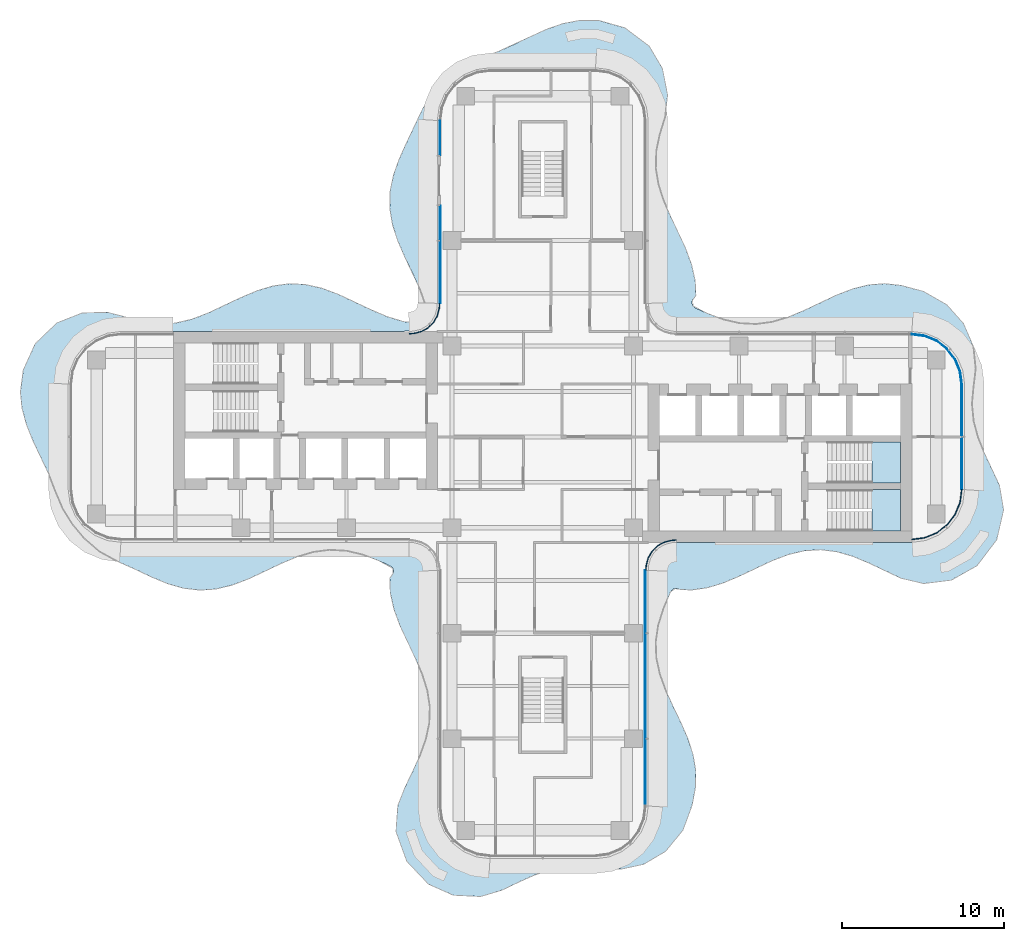
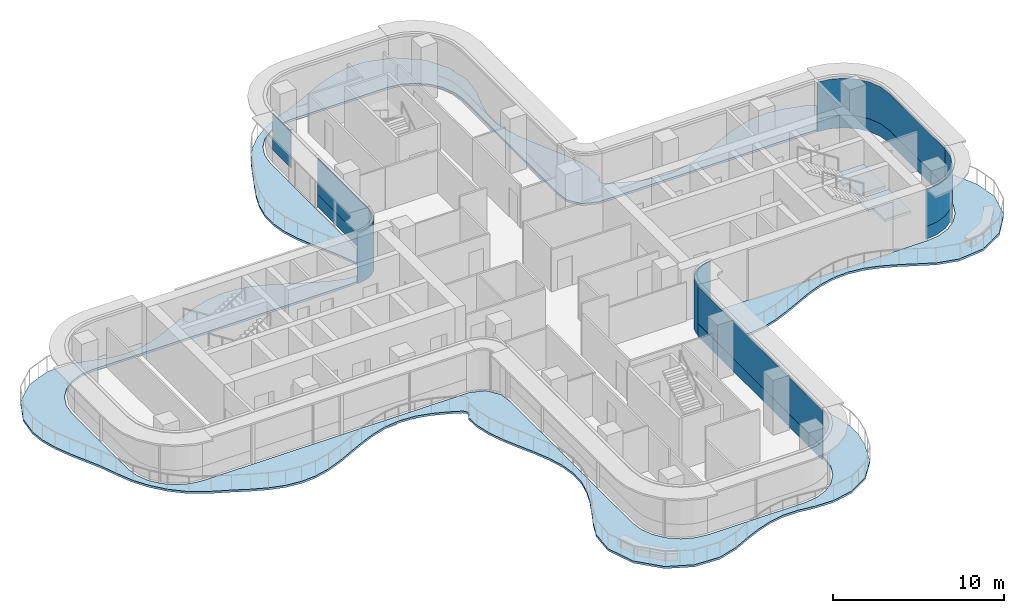
# One storey, part 10 of 17: 11 plates, 3 slabs, 9 elements without a shape of their own.
"""IFC4 building model written with IfcOpenShell, lengths in metres."""

from ifc_helpers import new_model, si_unit, direction, frame, origin, place, context, subcontext, project, spatial, polyline, outline, extrude, source, transform, mapped, material, layer, layer_set, type_object, element, aggregate, save


model = new_model("IFC4")

# Units and contexts
model_context = context("Model", 3, precision=1e-05, world=origin(), true_north=direction((0.0, 1.0)))
body_context = subcontext(model_context, "Body", "Model", "MODEL_VIEW")
ifc_project = project(units=[si_unit("LENGTHUNIT", "METRE"), si_unit("AREAUNIT", "SQUARE_METRE"), si_unit("VOLUMEUNIT", "CUBIC_METRE"), si_unit("PLANEANGLEUNIT", "RADIAN"), si_unit("MASSUNIT", "GRAM", prefix="KILO")], contexts=[model_context])

# Site, building, storey
site_placement = place(None, origin())
site = spatial("IfcSite", under=ifc_project, at=site_placement, CompositionType="ELEMENT")
building_placement = place(site_placement, origin())
building = spatial("IfcBuilding", under=site, at=building_placement, Name="Trellis Farm Tower", CompositionType="ELEMENT")
storey_placement = place(building_placement, frame((0.0, 0.0, 232.39990234375)))
storey = spatial("IfcBuildingStorey", under=building, at=storey_placement, Name="L51", CompositionType="ELEMENT", Elevation=232.39990234375)

# Slab
ifc_material_1 = material(Name="Concrete C40/50", Category="concrete")
ifc_layer_1 = layer(ifc_material_1, 0.14990234375)
ifc_layer_set_1 = layer_set([ifc_layer_1], Name="Balcony slab 150")
slab_type_1 = type_object("IfcSlabType", Name="Balcony slab 150", PredefinedType="FLOOR", material=ifc_layer_set_1)
slab_1_placement = place(storey_placement, frame((0.0, 0.0, -0.14990234375)))
element("IfcSlab", 1, at=slab_1_placement, inside=storey, type_object=slab_type_1, Name="Balcony slab", PredefinedType="FLOOR", context=body_context, shape_type="SweptSolid", body=[
    extrude(outline(polyline([(-9.369384765625, -8.57861328125), (-9.369140625, -8.57861328125), (-9.252685546875, -8.468017578125), (-9.232177734375, -8.43310546875), (-9.1943359375, -8.28759765625), (-9.1953125, -8.247314453125), (-9.239990234375, -8.10400390625), (-9.261962890625, -8.070068359375), (-9.3837890625, -7.965087890625), (-9.401123046875, -7.953857421875), (-10.09521484375, -7.6318359375), (-10.10009765625, -7.629638671875), (-11.08251953125, -7.25732421875), (-11.091552734375, -7.25439453125), (-12.0712890625, -7.020263671875), (-12.08447265625, -7.018310546875), (-13.131591796875, -6.957763671875), (-13.145751953125, -6.95849609375), (-14.126708984375, -7.087890625), (-14.13818359375, -7.09033203125), (-15.118408203125, -7.38134765625), (-15.1259765625, -7.384033203125), (-16.110107421875, -7.7958984375), (-16.11328125, -7.797119140625), (-18.091796875, -8.733642578125), (-18.101806640625, -8.73779296875), (-19.102783203125, -9.125), (-19.12109375, -9.130615234375), (-20.102783203125, -9.373046875), (-20.1279296875, -9.376953125), (-21.1015625, -9.4462890625), (-21.12939453125, -9.445556640625), (-22.10009765625, -9.334228515625), (-22.123779296875, -9.32958984375), (-23.0986328125, -9.05322265625), (-23.11474609375, -9.0478515625), (-24.097412109375, -8.64501953125), (-24.104736328125, -8.6416015625), (-25.099365234375, -8.168212890625), (-25.10107421875, -8.167236328125), (-26.1845703125, -7.687255859375), (-26.196044921875, -7.681396484375), (-27.3271484375, -7.059814453125), (-27.353271484375, -7.041748046875), (-28.267578125, -6.24853515625), (-28.28466796875, -6.231201171875), (-28.988037109375, -5.3857421875), (-29.0, -5.369140625), (-29.5859375, -4.42822265625), (-29.5966796875, -4.407470703125), (-30.062255859375, -3.308349609375), (-30.064208984375, -3.3037109375), (-30.4716796875, -2.241455078125), (-30.473876953125, -2.236083984375), (-31.414306640625, -0.251953125), (-31.417724609375, -0.243896484375), (-31.81884765625, 0.748046875), (-31.824462890625, 0.764892578125), (-32.093017578125, 1.747802734375), (-32.09765625, 1.7724609375), (-32.1953125, 2.747314453125), (-32.19482421875, 2.78173828125), (-32.020751953125, 4.11572265625), (-32.00830078125, 4.158935546875), (-31.2822265625, 5.7421875), (-31.267578125, 5.766845703125), (-31.24609375, 5.797119140625), (-31.227294921875, 5.81884765625), (-29.971923828125, 7.005126953125), (-29.948974609375, 7.02294921875), (-29.9169921875, 7.043212890625), (-29.89111328125, 7.05615234375), (-28.3857421875, 7.63818359375), (-28.360595703125, 7.6455078125), (-28.326904296875, 7.65185546875), (-28.300537109375, 7.65478515625), (-26.8349609375, 7.679443359375), (-26.794189453125, 7.674560546875), (-25.60400390625, 7.36083984375), (-25.601318359375, 7.360107421875), (-24.57958984375, 7.0703125), (-24.568115234375, 7.06787109375), (-23.641845703125, 6.956787109375), (-23.62841796875, 6.956298828125), (-22.640380859375, 7.015869140625), (-22.627685546875, 7.017822265625), (-21.631103515625, 7.25439453125), (-21.621826171875, 7.257080078125), (-20.619873046875, 7.637939453125), (-20.614501953125, 7.64013671875), (-18.614013671875, 8.5849609375), (-18.608154296875, 8.587646484375), (-17.606689453125, 9.009033203125), (-17.591552734375, 9.014404296875), (-16.633544921875, 9.302734375), (-16.610595703125, 9.3076171875), (-15.639892578125, 9.44091796875), (-15.6123046875, 9.442138671875), (-14.639404296875, 9.395751953125), (-14.61328125, 9.39208984375), (-13.6328125, 9.17041015625), (-13.613525390625, 9.16455078125), (-12.612548828125, 8.7919921875), (-12.600830078125, 8.787109375), (-10.62255859375, 7.854248046875), (-10.6201171875, 7.853271484375), (-9.60205078125, 7.41796875), (-9.59423828125, 7.415283203125), (-8.58544921875, 7.108154296875), (-8.570068359375, 7.105224609375), (-7.93115234375, 7.050537109375), (-7.90380859375, 7.053466796875), (-7.685791015625, 7.117919921875), (-7.661376953125, 7.130615234375), (-7.365478515625, 7.360595703125), (-7.353515625, 7.372314453125), (-7.271240234375, 7.47265625), (-7.256591796875, 7.501953125), (-7.225830078125, 7.6279296875), (-7.2236328125, 7.644287109375), (-7.2158203125, 8.096435546875), (-7.216796875, 8.11083984375), (-7.237548828125, 8.22802734375), (-7.241455078125, 8.24169921875), (-7.57568359375, 9.112060546875), (-7.57763671875, 9.1162109375), (-8.02978515625, 10.10595703125), (-8.030517578125, 10.107421875), (-8.510498046875, 11.102783203125), (-8.512939453125, 11.108154296875), (-8.94580078125, 12.10302734375), (-8.950927734375, 12.11669921875), (-9.262939453125, 13.077392578125), (-9.268310546875, 13.09912109375), (-9.430419921875, 14.0703125), (-9.432373046875, 14.097900390625), (-9.412841796875, 15.1005859375), (-9.409912109375, 15.127685546875), (-9.212890625, 16.099365234375), (-9.207275390625, 16.119384765625), (-8.861572265625, 17.097900390625), (-8.85693359375, 17.109619140625), (-8.4130859375, 18.093017578125), (-8.411865234375, 18.095458984375), (-7.3955078125, 20.239013671875), (-7.38525390625, 20.257080078125), (-6.700439453125, 21.301025390625), (-6.680908203125, 21.324951171875), (-5.857177734375, 22.147216796875), (-5.8369140625, 22.1640625), (-4.9130859375, 22.807373046875), (-4.893798828125, 22.81884765625), (-3.84521484375, 23.334716796875), (-3.83251953125, 23.340087890625), (-2.743408203125, 23.756591796875), (-2.73974609375, 23.75830078125), (-1.75732421875, 24.196044921875), (-1.755126953125, 24.197021484375), (-0.751953125, 24.681396484375), (-0.748046875, 24.683349609375), (0.248046875, 25.12939453125), (0.260498046875, 25.134521484375), (1.248046875, 25.475341796875), (1.268798828125, 25.48095703125), (2.24755859375, 25.667724609375), (2.275634765625, 25.67041015625), (3.435302734375, 25.669189453125), (3.476318359375, 25.663330078125), (5.061767578125, 25.2119140625), (5.087890625, 25.20166015625), (5.120849609375, 25.185302734375), (5.144775390625, 25.170166015625), (6.5458984375, 24.094970703125), (6.5673828125, 24.074951171875), (6.592529296875, 24.04638671875), (6.609619140625, 24.0224609375), (7.372314453125, 22.70263671875), (7.389404296875, 22.656494140625), (7.691162109375, 21.117431640625), (7.69287109375, 21.07177734375), (7.541015625, 19.722412109375), (7.53515625, 19.695068359375), (7.203125, 18.62109375), (7.201416015625, 18.614501953125), (6.996826171875, 17.6396484375), (6.995361328125, 17.626220703125), (6.967041015625, 16.57861328125), (6.968017578125, 16.564697265625), (7.12646484375, 15.584228515625), (7.12890625, 15.573486328125), (7.431396484375, 14.625244140625), (7.433837890625, 14.618408203125), (7.872314453125, 13.60107421875), (7.873779296875, 13.59814453125), (8.35009765625, 12.609619140625), (8.351318359375, 12.607177734375), (8.804931640625, 11.619384765625), (8.8095703125, 11.6083984375), (9.17724609375, 10.606689453125), (9.182861328125, 10.58740234375), (9.39404296875, 9.63720703125), (9.3974609375, 9.611572265625), (9.4384765625, 8.71240234375), (9.3759765625, 8.58349609375), (9.369140625, 8.57861328125), (9.252685546875, 8.468017578125), (9.232177734375, 8.43310546875), (9.1943359375, 8.28759765625), (9.1953125, 8.247314453125), (9.239990234375, 8.10400390625), (9.261962890625, 8.070068359375), (9.3837890625, 7.965087890625), (9.401123046875, 7.953857421875), (10.118408203125, 7.6220703125), (10.12353515625, 7.619873046875), (11.125732421875, 7.243896484375), (11.13525390625, 7.2412109375), (12.13134765625, 7.011474609375), (12.144287109375, 7.009765625), (13.1318359375, 6.957763671875), (13.1455078125, 6.958251953125), (14.126708984375, 7.087890625), (14.13818359375, 7.09033203125), (15.118408203125, 7.38134765625), (15.1259765625, 7.384033203125), (16.110107421875, 7.7958984375), (16.11328125, 7.797119140625), (18.091796875, 8.733642578125), (18.101806640625, 8.73779296875), (19.10302734375, 9.125), (19.120849609375, 9.130615234375), (20.073486328125, 9.368408203125), (20.098388671875, 9.372314453125), (21.069091796875, 9.44677734375), (21.096923828125, 9.4462890625), (22.07470703125, 9.33935546875), (22.0966796875, 9.335205078125), (23.4287109375, 8.981689453125), (23.464111328125, 8.96728515625), (24.870361328125, 8.1708984375), (24.90869140625, 8.139892578125), (25.92822265625, 6.988037109375), (25.95361328125, 6.94775390625), (26.5400390625, 5.581298828125), (26.551513671875, 5.53662109375), (26.682373046875, 4.1982421875), (26.681884765625, 4.165283203125), (26.5390625, 2.997802734375), (26.538818359375, 2.995361328125), (26.45361328125, 2.03759765625), (26.45361328125, 2.023681640625), (26.55419921875, 0.977294921875), (26.556396484375, 0.96484375), (26.82275390625, -0.01513671875), (26.825439453125, -0.023193359375), (27.212158203125, -0.9873046875), (27.2138671875, -0.9912109375), (28.145263671875, -2.979248046875), (28.157470703125, -3.018310546875), (28.403564453125, -4.493896484375), (28.405517578125, -4.5244140625), (28.404052734375, -4.5625), (28.400146484375, -4.591796875), (27.97998046875, -6.33740234375), (27.969482421875, -6.366943359375), (27.9521484375, -6.4033203125), (27.935791015625, -6.43017578125), (26.816650390625, -7.888916015625), (26.7958984375, -7.910888671875), (26.766357421875, -7.9365234375), (26.741455078125, -7.9541015625), (25.1923828125, -8.82373046875), (25.165283203125, -8.835693359375), (25.128662109375, -8.84765625), (25.099609375, -8.85400390625), (23.4794921875, -9.039306640625), (23.452880859375, -9.0400390625), (23.4189453125, -9.037841796875), (23.392578125, -9.033935546875), (22.097412109375, -8.71630859375), (22.06884765625, -8.7060546875), (20.1103515625, -7.7783203125), (20.10693359375, -7.77685546875), (19.123046875, -7.369140625), (19.115234375, -7.366455078125), (18.135009765625, -7.081298828125), (18.123291015625, -7.0791015625), (17.14208984375, -6.956787109375), (17.12841796875, -6.956298828125), (16.140380859375, -7.015869140625), (16.127685546875, -7.017822265625), (15.131103515625, -7.25439453125), (15.121826171875, -7.257080078125), (14.119873046875, -7.637939453125), (14.114501953125, -7.64013671875), (12.114013671875, -8.5849609375), (12.108154296875, -8.587646484375), (11.106689453125, -9.009033203125), (11.091552734375, -9.014404296875), (10.133544921875, -9.302734375), (10.110595703125, -9.3076171875), (9.143310546875, -9.4404296875), (9.11279296875, -9.44140625), (8.433349609375, -9.39453125), (8.398193359375, -9.3876953125), (8.314208984375, -9.361083984375), (8.296630859375, -9.357666015625), (8.15869140625, -9.347900390625), (8.124267578125, -9.353759765625), (8.00537109375, -9.405029296875), (7.977294921875, -9.426025390625), (7.890625, -9.531982421875), (7.8798828125, -9.549560546875), (7.430419921875, -10.58837890625), (7.427490234375, -10.59619140625), (7.10693359375, -11.62890625), (7.104248046875, -11.640380859375), (6.961181640625, -12.63232421875), (6.960693359375, -12.64599609375), (7.00048828125, -13.6298828125), (7.002197265625, -13.642578125), (7.21630859375, -14.622802734375), (7.21923828125, -14.63232421875), (7.56640625, -15.588134765625), (7.568603515625, -15.59375), (8.026611328125, -16.599365234375), (8.02734375, -16.6005859375), (8.510498046875, -17.60302734375), (8.512939453125, -17.608154296875), (8.93994140625, -18.587158203125), (8.945068359375, -18.6005859375), (9.262939453125, -19.577392578125), (9.268310546875, -19.59912109375), (9.430419921875, -20.570556640625), (9.432373046875, -20.59765625), (9.416259765625, -21.572021484375), (9.413818359375, -21.596923828125), (9.2109375, -22.6865234375), (9.20458984375, -22.71044921875), (8.66162109375, -24.199462890625), (8.63671875, -24.2431640625), (7.59130859375, -25.52099609375), (7.572509765625, -25.5400390625), (7.546142578125, -25.562744140625), (7.5244140625, -25.578125), (6.224853515625, -26.338134765625), (6.1806640625, -26.355224609375), (4.8330078125, -26.644287109375), (4.797607421875, -26.647705078125), (3.589111328125, -26.614501953125), (3.573974609375, -26.61328125), (2.47900390625, -26.472412109375), (2.46875, -26.4716796875), (1.47412109375, -26.481201171875), (1.461181640625, -26.482421875), (0.52978515625, -26.656494140625), (0.519287109375, -26.6591796875), (-0.5107421875, -27.0087890625), (-0.51708984375, -27.01123046875), (-1.49267578125, -27.446044921875), (-1.49462890625, -27.447021484375), (-2.499755859375, -27.930419921875), (-2.521240234375, -27.938720703125), (-3.783935546875, -28.32177734375), (-3.833984375, -28.328125), (-5.45458984375, -28.258056640625), (-5.482666015625, -28.254150390625), (-5.518310546875, -28.245849609375), (-5.544921875, -28.23681640625), (-7.041748046875, -27.568115234375), (-7.06787109375, -27.55322265625), (-7.099365234375, -27.530517578125), (-7.1220703125, -27.510498046875), (-8.376708984375, -26.16015625), (-8.39501953125, -26.1357421875), (-8.415283203125, -26.101806640625), (-8.428466796875, -26.07421875), (-9.0380859375, -24.352294921875), (-9.04541015625, -24.32177734375), (-9.05078125, -24.28173828125), (-9.051513671875, -24.25048828125), (-8.932373046875, -22.72607421875), (-8.922119140625, -22.68212890625), (-8.494873046875, -21.60888671875), (-8.490478515625, -21.599365234375), (-8.010498046875, -20.604248046875), (-8.010009765625, -20.602783203125), (-7.56201171875, -19.61669921875), (-7.5595703125, -19.611083984375), (-7.20703125, -18.629150390625), (-7.2041015625, -18.619384765625), (-6.996826171875, -17.639404296875), (-6.995361328125, -17.62646484375), (-6.962890625, -16.642333984375), (-6.963623046875, -16.628662109375), (-7.114013671875, -15.636474609375), (-7.11669921875, -15.625), (-7.431396484375, -14.62548828125), (-7.433837890625, -14.6181640625), (-7.872314453125, -13.60107421875), (-7.873779296875, -13.59814453125), (-8.35009765625, -12.609619140625), (-8.351318359375, -12.607177734375), (-8.80517578125, -11.619140625), (-8.8095703125, -11.6083984375), (-9.170654296875, -10.629150390625), (-9.17626953125, -10.609619140625), (-9.397705078125, -9.607666015625), (-9.4013671875, -9.58056640625), (-9.431884765625, -8.7060546875), (-9.369384765625, -8.57861328125)]), holes=[polyline([(-7.210693359375, -6.823974609375), (-7.16552734375, -6.857421875), (-7.133056640625, -6.890380859375), (-6.643798828125, -7.5703125), (-6.62548828125, -7.604248046875), (-6.608154296875, -7.64990234375), (-6.59912109375, -7.6875), (-6.500732421875, -8.61181640625), (-6.50048828125, -8.616455078125), (-6.50048828125, -22.75), (-6.389892578125, -23.59130859375), (-6.065185546875, -24.375244140625), (-5.548583984375, -25.048583984375), (-4.875244140625, -25.565185546875), (-4.09130859375, -25.889892578125), (-3.25, -26.00048828125), (3.25, -26.00048828125), (4.09130859375, -25.889892578125), (4.875244140625, -25.565185546875), (5.548583984375, -25.048583984375), (6.065185546875, -24.375244140625), (6.389892578125, -23.59130859375), (6.50048828125, -22.75), (6.50048828125, -8.616455078125), (6.500732421875, -8.61181640625), (6.59912109375, -7.6875), (6.608154296875, -7.64990234375), (6.62548828125, -7.604248046875), (6.643798828125, -7.5703125), (7.133056640625, -6.890380859375), (7.16552734375, -6.857421875), (7.210693359375, -6.823974609375), (7.252685546875, -6.802001953125), (8.116455078125, -6.515380859375), (8.16357421875, -6.507568359375), (20.997802734375, -6.50048828125), (22.75, -6.50048828125), (23.59130859375, -6.389892578125), (24.375244140625, -6.065185546875), (25.048583984375, -5.548583984375), (25.565185546875, -4.875244140625), (25.889892578125, -4.09130859375), (26.00048828125, -3.25), (26.00048828125, 3.25), (25.889892578125, 4.09130859375), (25.565185546875, 4.875244140625), (25.048583984375, 5.548583984375), (24.375244140625, 6.065185546875), (23.59130859375, 6.389892578125), (22.75, 6.50048828125), (20.997802734375, 6.50048828125), (8.16357421875, 6.507568359375), (8.116455078125, 6.515380859375), (7.252685546875, 6.802001953125), (7.210693359375, 6.823974609375), (7.16552734375, 6.857421875), (7.133056640625, 6.890380859375), (6.643798828125, 7.5703125), (6.62548828125, 7.604248046875), (6.608154296875, 7.64990234375), (6.59912109375, 7.6875), (6.501953125, 8.593017578125), (6.5009765625, 8.609130859375), (6.50048828125, 12.591552734375), (6.50048828125, 19.5), (6.389892578125, 20.34130859375), (6.065185546875, 21.125244140625), (5.548583984375, 21.798583984375), (4.875244140625, 22.315185546875), (4.09130859375, 22.639892578125), (3.25, 22.75048828125), (-3.25, 22.75048828125), (-4.09130859375, 22.639892578125), (-4.875244140625, 22.315185546875), (-5.548583984375, 21.798583984375), (-6.065185546875, 21.125244140625), (-6.389892578125, 20.34130859375), (-6.50048828125, 19.5), (-6.50048828125, 18.26318359375), (-6.508056640625, 8.158203125), (-6.515869140625, 8.110595703125), (-6.8046875, 7.248046875), (-6.82666015625, 7.205810546875), (-6.860595703125, 7.16064453125), (-6.8935546875, 7.12841796875), (-7.575927734375, 6.64208984375), (-7.60986328125, 6.623779296875), (-7.6552734375, 6.606689453125), (-7.69287109375, 6.59765625), (-8.61767578125, 6.500732421875), (-8.62158203125, 6.50048828125), (-26.0, 6.50048828125), (-26.84130859375, 6.389892578125), (-27.625244140625, 6.065185546875), (-28.298583984375, 5.548583984375), (-28.815185546875, 4.875244140625), (-29.139892578125, 4.09130859375), (-29.25048828125, 3.25), (-29.25048828125, -3.25), (-29.139892578125, -4.09130859375), (-28.815185546875, -4.875244140625), (-28.298583984375, -5.548583984375), (-27.625244140625, -6.065185546875), (-26.84130859375, -6.389892578125), (-26.0, -6.50048828125), (-23.765625, -6.50048828125), (-8.16357421875, -6.507568359375), (-8.116455078125, -6.515380859375), (-7.252685546875, -6.802001953125), (-7.210693359375, -6.823974609375)])]), origin(), (0.0, 0.0, 1.0), 0.14990234375),
])

# Curtain wall, plate
ifc_material_2 = material(Name="Aluminium and glass curtain wall", Category="aluminium")
ifc_layer_2 = layer(ifc_material_2, 0.18994140625)
ifc_layer_set_2 = layer_set([ifc_layer_2], Name="RIBBON CURTAIN WALL CW1")
curtain_wall_type_1 = type_object("IfcCurtainWallType", Name="RIBBON CURTAIN WALL CW1", PredefinedType="NOTDEFINED", material=ifc_layer_set_2)
placement_1 = place(storey_placement, origin())
curtain_wall_1 = element("IfcCurtainWall", 2, at=placement_1, inside=storey, type_object=curtain_wall_type_1, Name="CW1 010", PredefinedType="NOTDEFINED")
ifc_material_3 = material(Name="Clear insulated glass", Category="glass")
ifc_layer_3 = layer(ifc_material_3, 0.0400390625)
ifc_layer_set_3 = layer_set([ifc_layer_3], Name="CW1 GLASS PANEL 40")
plate_type_1 = type_object("IfcPlateType", Name="CW1 GLASS PANEL 40", PredefinedType="CURTAIN_PANEL", material=ifc_layer_set_3)
placement_2 = place(storey_placement, frame((0.0, 0.0, 0.900146484375)))
plate_1 = element("IfcPlate", 3, at=placement_2, type_object=plate_type_1, Name="PL1 010", PredefinedType="CURTAIN_PANEL", context=body_context, shape_type="SweptSolid", body=[
    extrude(outline(polyline([(-6.35009765625, 19.490234375), (-6.35009765625, 17.360107421875), (-6.31005859375, 17.360107421875), (-6.31005859375, 19.487548828125), (-6.35009765625, 19.490234375)])), origin(), (0.0, 0.0, 1.0), 2.619873046875),
])
aggregate(curtain_wall_1, [plate_1])

# Curtain wall, plates
curtain_wall_2 = element("IfcCurtainWall", 4, at=placement_1, inside=storey, type_object=curtain_wall_type_1, Name="CW1 011", PredefinedType="NOTDEFINED")
plate_2 = element("IfcPlate", 5, at=placement_2, type_object=plate_type_1, Name="PL1 011", PredefinedType="CURTAIN_PANEL", context=body_context, shape_type="SweptSolid", body=[
    extrude(outline(polyline([(-6.35009765625, 14.239990234375), (-6.35009765625, 8.2265625), (-6.31005859375, 8.22509765625), (-6.31005859375, 14.239990234375), (-6.35009765625, 14.239990234375)])), origin(), (0.0, 0.0, 1.0), 2.619873046875),
])
ifc_material_4 = material(Name="Sandstone faced insulated panel", Category="masonry")
ifc_layer_4 = layer(ifc_material_4, 0.050048828125)
ifc_layer_set_4 = layer_set([ifc_layer_4], Name="CW1 STONE SPANDREL PANEL 50")
plate_type_2 = type_object("IfcPlateType", Name="CW1 STONE SPANDREL PANEL 50", PredefinedType="CURTAIN_PANEL", material=ifc_layer_set_4)
plate_3 = element("IfcPlate", 6, at=placement_1, type_object=plate_type_2, Name="PS1 011", PredefinedType="CURTAIN_PANEL", context=body_context, shape_type="SweptSolid", body=[
    extrude(outline(polyline([(-6.35009765625, 14.239990234375), (-6.35009765625, 8.2265625), (-6.300048828125, 8.224853515625), (-6.300048828125, 14.239990234375), (-6.35009765625, 14.239990234375)])), origin(), (0.0, 0.0, 1.0), 0.900146484375),
])
aggregate(curtain_wall_2, [plate_2, plate_3])

# Stair, slab
ifc_material_5 = material(Name="Concrete C50/60", Category="concrete")
stair_type = type_object("IfcStairType", Name="CORE EXIT STAIR 22 RISERS 177 MM", PredefinedType="HALF_TURN_STAIR", material=ifc_material_5)
stair_1 = element("IfcStair", 7, at=placement_1, inside=storey, type_object=stair_type, Name="Exit stair E1", PredefinedType="HALF_TURN_STAIR")
ifc_layer_5 = layer(ifc_material_5, 0.18994140625)
ifc_layer_set_5 = layer_set([ifc_layer_5], Name="CORE STAIR LANDING 190 CONCRETE C50/60")
slab_type_2 = type_object("IfcSlabType", Name="CORE STAIR LANDING 190 CONCRETE C50/60", PredefinedType="LANDING", material=ifc_layer_set_5)
shared_shape_1 = source(origin(), body_context, "Body", "SweptSolid", [
    extrude(outline(polyline([(20.2900390625, -5.800048828125), (20.2900390625, -4.60009765625), (20.300048828125, -4.60009765625), (20.300048828125, -4.449951171875), (19.971923828125, -4.449951171875), (19.971923828125, -3.25), (20.300048828125, -3.25), (22.050048828125, -3.25), (22.050048828125, -5.800048828125), (20.300048828125, -5.800048828125), (20.2900390625, -5.800048828125)])), origin(), (0.0, 0.0, 1.0), 0.190185546875),
])
placement_3 = place(storey_placement, frame((0.0, 0.0, 1.760009765625)))
slab_2 = element("IfcSlab", 8, at=placement_3, type_object=slab_type_2, Name="STE1 landing 1", PredefinedType="LANDING", context=body_context, shape_type="MappedRepresentation", body=[
    mapped(shared_shape_1, transform((0.0, 0.0, 0.0))),
])
aggregate(stair_1, [slab_2])

stair_2 = element("IfcStair", 9, at=placement_1, inside=storey, type_object=stair_type, Name="Exit stair E2", PredefinedType="HALF_TURN_STAIR")
shared_shape_2 = source(origin(), body_context, "Body", "SweptSolid", [
    extrude(outline(polyline([(20.2900390625, -2.85009765625), (20.2900390625, -1.64990234375), (20.300048828125, -1.64990234375), (20.300048828125, -1.5), (19.971923828125, -1.5), (19.971923828125, -0.300048828125), (20.300048828125, -0.300048828125), (22.050048828125, -0.300048828125), (22.050048828125, -2.85009765625), (20.300048828125, -2.85009765625), (20.2900390625, -2.85009765625)])), origin(), (0.0, 0.0, 1.0), 0.190185546875),
])
slab_3 = element("IfcSlab", 10, at=placement_3, type_object=slab_type_2, Name="STE2 landing 1", PredefinedType="LANDING", context=body_context, shape_type="MappedRepresentation", body=[
    mapped(shared_shape_2, transform((0.0, 0.0, 0.0))),
])
aggregate(stair_2, [slab_3])

# Curtain wall, plate
ifc_layer_6 = layer(ifc_material_2, 0.166015625)
ifc_layer_set_6 = layer_set([ifc_layer_6], Name="WINTER GARDEN CURTAIN WALL CW3")
curtain_wall_type_2 = type_object("IfcCurtainWallType", Name="WINTER GARDEN CURTAIN WALL CW3", PredefinedType="NOTDEFINED", material=ifc_layer_set_6)
curtain_wall_3 = element("IfcCurtainWall", 11, at=placement_1, inside=storey, type_object=curtain_wall_type_2, Name="CW3 002", PredefinedType="NOTDEFINED")
ifc_layer_7 = layer(ifc_material_3, 0.0458984375)
ifc_layer_set_7 = layer_set([ifc_layer_7], Name="CW3 GLASS PANEL 46")
plate_type_3 = type_object("IfcPlateType", Name="CW3 GLASS PANEL 46", PredefinedType="CURTAIN_PANEL", material=ifc_layer_set_7)
shared_shape_3 = source(origin(), body_context, "Body", "SweptSolid", [
    extrude(outline(polyline([(6.3798828125, -8.2275390625), (6.394287109375, -8.0078125), (6.40966796875, -7.89208984375), (6.52490234375, -7.462158203125), (6.7509765625, -7.070556640625), (7.070556640625, -6.7509765625), (7.462158203125, -6.52490234375), (7.89208984375, -6.40966796875), (8.0078125, -6.394287109375), (8.2275390625, -6.3798828125), (8.22607421875, -6.333984375), (8.003173828125, -6.3486328125), (7.883056640625, -6.364501953125), (7.4443359375, -6.48193359375), (7.04248046875, -6.714111328125), (6.714111328125, -7.04248046875), (6.48193359375, -7.4443359375), (6.364501953125, -7.883056640625), (6.3486328125, -8.003173828125), (6.333984375, -8.22607421875), (6.3798828125, -8.2275390625)])), origin(), (0.0, 0.0, 1.0), 3.550048828125),
])
plate_4 = element("IfcPlate", 12, at=placement_1, type_object=plate_type_3, Name="PL3 002", PredefinedType="CURTAIN_PANEL", context=body_context, shape_type="MappedRepresentation", body=[
    mapped(shared_shape_3, transform((0.0, 0.0, 0.0))),
])
aggregate(curtain_wall_3, [plate_4])

curtain_wall_4 = element("IfcCurtainWall", 13, at=placement_1, inside=storey, type_object=curtain_wall_type_2, Name="CW3 004", PredefinedType="NOTDEFINED")
shared_shape_4 = source(origin(), body_context, "Body", "SweptSolid", [
    extrude(outline(polyline([(-6.3798828125, 8.2275390625), (-6.394287109375, 8.0078125), (-6.40966796875, 7.89208984375), (-6.52490234375, 7.462158203125), (-6.7509765625, 7.070556640625), (-7.070556640625, 6.7509765625), (-7.462158203125, 6.52490234375), (-7.89208984375, 6.40966796875), (-8.0078125, 6.394287109375), (-8.2275390625, 6.3798828125), (-8.22607421875, 6.333984375), (-8.003173828125, 6.3486328125), (-7.883056640625, 6.364501953125), (-7.4443359375, 6.48193359375), (-7.04248046875, 6.714111328125), (-6.714111328125, 7.04248046875), (-6.48193359375, 7.4443359375), (-6.364501953125, 7.883056640625), (-6.3486328125, 8.003173828125), (-6.333984375, 8.22607421875), (-6.3798828125, 8.2275390625)])), origin(), (0.0, 0.0, 1.0), 3.550048828125),
])
plate_5 = element("IfcPlate", 14, at=placement_1, type_object=plate_type_3, Name="PL3 004", PredefinedType="CURTAIN_PANEL", context=body_context, shape_type="MappedRepresentation", body=[
    mapped(shared_shape_4, transform((0.0, 0.0, 0.0))),
])
aggregate(curtain_wall_4, [plate_5])

# Curtain wall, plates
curtain_wall_5 = element("IfcCurtainWall", 15, at=placement_1, inside=storey, type_object=curtain_wall_type_1, Name="CW1 004", PredefinedType="NOTDEFINED")
shared_shape_5 = source(origin(), body_context, "Body", "SweptSolid", [
    extrude(outline(polyline([(6.35009765625, -22.740234375), (6.35009765625, -8.2265625), (6.31005859375, -8.22509765625), (6.31005859375, -22.737548828125), (6.35009765625, -22.740234375)])), origin(), (0.0, 0.0, 1.0), 2.619873046875),
])
plate_6 = element("IfcPlate", 16, at=placement_2, type_object=plate_type_1, Name="PL1 004", PredefinedType="CURTAIN_PANEL", context=body_context, shape_type="MappedRepresentation", body=[
    mapped(shared_shape_5, transform((0.0, 0.0, 0.0))),
])
shared_shape_6 = source(origin(), body_context, "Body", "SweptSolid", [
    extrude(outline(polyline([(6.35009765625, -22.740234375), (6.35009765625, -8.2265625), (6.300048828125, -8.224853515625), (6.300048828125, -22.73681640625), (6.35009765625, -22.740234375)])), origin(), (0.0, 0.0, 1.0), 0.900146484375),
])
plate_7 = element("IfcPlate", 17, at=placement_1, type_object=plate_type_2, Name="PS1 004", PredefinedType="CURTAIN_PANEL", context=body_context, shape_type="MappedRepresentation", body=[
    mapped(shared_shape_6, transform((0.0, 0.0, 0.0))),
])
aggregate(curtain_wall_5, [plate_6, plate_7])

curtain_wall_6 = element("IfcCurtainWall", 18, at=placement_1, inside=storey, type_object=curtain_wall_type_1, Name="CW1 005", PredefinedType="NOTDEFINED")
shared_shape_7 = source(origin(), body_context, "Body", "SweptSolid", [
    extrude(outline(polyline([(22.740234375, -6.35009765625), (23.552001953125, -6.2431640625), (24.29931640625, -5.93359375), (24.941162109375, -5.441162109375), (25.43359375, -4.79931640625), (25.7431640625, -4.052001953125), (25.85009765625, -3.240234375), (25.81005859375, -3.237548828125), (25.7041015625, -4.04150390625), (25.398681640625, -4.779296875), (24.91259765625, -5.41259765625), (24.279296875, -5.898681640625), (23.54150390625, -6.2041015625), (22.737548828125, -6.31005859375), (22.740234375, -6.35009765625)])), origin(), (0.0, 0.0, 1.0), 2.619873046875),
])
plate_8 = element("IfcPlate", 19, at=placement_2, type_object=plate_type_1, Name="PL1 005", PredefinedType="CURTAIN_PANEL", context=body_context, shape_type="MappedRepresentation", body=[
    mapped(shared_shape_7, transform((0.0, 0.0, 0.0))),
])
shared_shape_8 = source(origin(), body_context, "Body", "SweptSolid", [
    extrude(outline(polyline([(22.740234375, -6.35009765625), (23.552001953125, -6.2431640625), (24.29931640625, -5.93359375), (24.941162109375, -5.441162109375), (25.43359375, -4.79931640625), (25.7431640625, -4.052001953125), (25.85009765625, -3.240234375), (25.800048828125, -3.23681640625), (25.6943359375, -4.0390625), (25.389892578125, -4.774169921875), (24.905517578125, -5.405517578125), (24.274169921875, -5.889892578125), (23.5390625, -6.1943359375), (22.73681640625, -6.300048828125), (22.740234375, -6.35009765625)])), origin(), (0.0, 0.0, 1.0), 0.900146484375),
])
plate_9 = element("IfcPlate", 20, at=placement_1, type_object=plate_type_2, Name="PS1 005", PredefinedType="CURTAIN_PANEL", context=body_context, shape_type="MappedRepresentation", body=[
    mapped(shared_shape_8, transform((0.0, 0.0, 0.0))),
])
aggregate(curtain_wall_6, [plate_8, plate_9])

curtain_wall_7 = element("IfcCurtainWall", 21, at=placement_1, inside=storey, type_object=curtain_wall_type_1, Name="CW1 006", PredefinedType="NOTDEFINED")
shared_shape_9 = source(origin(), body_context, "Body", "SweptSolid", [
    extrude(outline(polyline([(25.85009765625, -3.240234375), (25.85009765625, 3.240234375), (25.7431640625, 4.052001953125), (25.43359375, 4.79931640625), (24.941162109375, 5.441162109375), (24.29931640625, 5.93359375), (23.552001953125, 6.2431640625), (22.740234375, 6.35009765625), (22.737548828125, 6.31005859375), (23.54150390625, 6.2041015625), (24.279296875, 5.898681640625), (24.91259765625, 5.41259765625), (25.398681640625, 4.779296875), (25.7041015625, 4.04150390625), (25.81005859375, 3.237548828125), (25.81005859375, -3.237548828125), (25.85009765625, -3.240234375)])), origin(), (0.0, 0.0, 1.0), 2.619873046875),
])
plate_10 = element("IfcPlate", 22, at=placement_2, type_object=plate_type_1, Name="PL1 006", PredefinedType="CURTAIN_PANEL", context=body_context, shape_type="MappedRepresentation", body=[
    mapped(shared_shape_9, transform((0.0, 0.0, 0.0))),
])
shared_shape_10 = source(origin(), body_context, "Body", "SweptSolid", [
    extrude(outline(polyline([(25.85009765625, -3.240234375), (25.85009765625, 3.240234375), (25.7431640625, 4.052001953125), (25.43359375, 4.79931640625), (24.941162109375, 5.441162109375), (24.29931640625, 5.93359375), (23.552001953125, 6.2431640625), (22.740234375, 6.35009765625), (22.73681640625, 6.300048828125), (23.5390625, 6.1943359375), (24.274169921875, 5.889892578125), (24.905517578125, 5.405517578125), (25.389892578125, 4.774169921875), (25.6943359375, 4.0390625), (25.800048828125, 3.23681640625), (25.800048828125, -3.23681640625), (25.85009765625, -3.240234375)])), origin(), (0.0, 0.0, 1.0), 0.900146484375),
])
plate_11 = element("IfcPlate", 23, at=placement_1, type_object=plate_type_2, Name="PS1 006", PredefinedType="CURTAIN_PANEL", context=body_context, shape_type="MappedRepresentation", body=[
    mapped(shared_shape_10, transform((0.0, 0.0, 0.0))),
])
aggregate(curtain_wall_7, [plate_10, plate_11])

save(model, "model.ifc")
